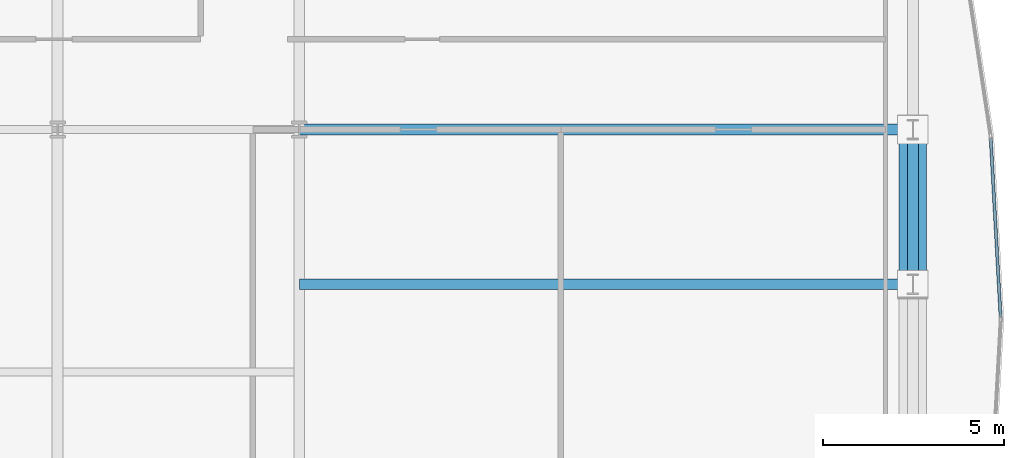
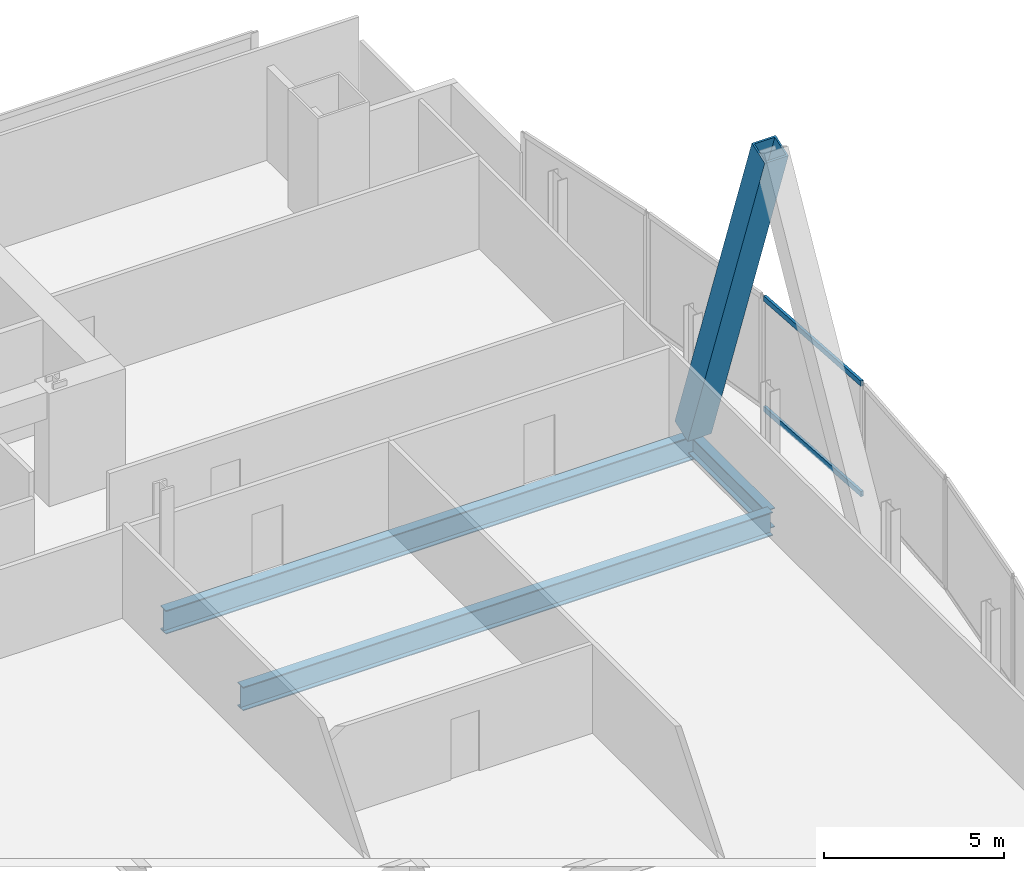
# One storey, part 24 of 36: 3 beams, 3 members, 1 element without a shape of its own.
"""IFC4 building model written with IfcOpenShell, lengths in metres."""

from ifc_helpers import new_model, si_unit, direction, frame, origin, origin_2d, place, context, subcontext, project, spatial, hollow_rectangle, i_section, extrude, material, material_profile, profile_set, type_object, element, aggregate, save


model = new_model("IFC4")

# Units and contexts
model_context = context("Model", 3, precision=1e-05, world=origin(), true_north=direction((0.0, 1.0)))
body_context = subcontext(model_context, "Body", "Model", "MODEL_VIEW")
ifc_project = project(units=[si_unit("LENGTHUNIT", "METRE"), si_unit("AREAUNIT", "SQUARE_METRE"), si_unit("VOLUMEUNIT", "CUBIC_METRE"), si_unit("PLANEANGLEUNIT", "RADIAN"), si_unit("MASSUNIT", "GRAM", prefix="KILO")], contexts=[model_context])

# Site, building, storey
site_placement = place(None, origin())
site = spatial("IfcSite", under=ifc_project, at=site_placement, CompositionType="ELEMENT")
building_placement = place(site_placement, origin())
building = spatial("IfcBuilding", under=site, at=building_placement, Name="Khoronbel Lancet Exchange", CompositionType="ELEMENT")
storey_placement = place(building_placement, frame((0.0, 0.0, 49.800048828125)))
storey = spatial("IfcBuildingStorey", under=building, at=storey_placement, Name="L11", CompositionType="ELEMENT", Elevation=49.800048828125)

# Beams
ifc_material_1 = material(Name="Steel S355", Category="steel")
ifc_material_profile_1 = material_profile(ifc_material_1, i_section(OverallWidth=0.300048828125, OverallDepth=0.800048828125, WebThickness=0.017578125, FlangeThickness=0.032958984375, at=origin_2d()), Name="HEB 800")
ifc_profile_set_1 = profile_set([ifc_material_profile_1], Name="Steel S355")
beam_type_1 = type_object("IfcBeamType", Name="BM-BG2", PredefinedType="BEAM", material=ifc_profile_set_1)
for number, where, z_axis, x_axis, name in (
    (1, (54.675048828125, 31.425048828125, -0.580078125), (1.0, 0.0, 0.0), (0.0, 1.0, 0.0), "Level L11 east lens tie girder LG2E"),
    (2, (54.675048828125, 35.699951171875, -0.580078125), (1.0, 0.0, 0.0), (0.0, 1.0, 0.0), "Level L11 east lens tie girder LG4E"),
):
    element("IfcBeam", number, at=place(storey_placement, frame(where, z_axis=z_axis, x_axis=x_axis)), inside=storey, type_object=beam_type_1, Name=name, PredefinedType="BEAM", context=body_context, shape_type="SweptSolid", body=[
        extrude(i_section(OverallWidth=0.300048828125, OverallDepth=0.800048828125, WebThickness=0.017578125, FlangeThickness=0.032958984375, at=origin_2d()), origin(), (0.0, 0.0, 1.0), 16.954833984375),
    ])
ifc_material_profile_2 = material_profile(ifc_material_1, i_section(OverallWidth=0.300048828125, OverallDepth=0.64990234375, WebThickness=0.01611328125, FlangeThickness=0.031005859375, at=origin_2d()), Name="HEB 650")
ifc_profile_set_2 = profile_set([ifc_material_profile_2], Name="Steel S355")
beam_type_2 = type_object("IfcBeamType", Name="BM-BSP1", PredefinedType="SPANDREL", material=ifc_profile_set_2)
beam_placement = place(storey_placement, frame((71.6298828125, 31.425048828125, -0.505126953125), z_axis=(0.0, 1.0, 0.0), x_axis=(-1.0, 0.0, 0.0)))
element("IfcBeam", 3, at=beam_placement, inside=storey, type_object=beam_type_2, Name="Level L11 perimeter spandrel beam SP13", PredefinedType="SPANDREL", context=body_context, shape_type="SweptSolid", body=[
    extrude(i_section(OverallWidth=0.300048828125, OverallDepth=0.64990234375, WebThickness=0.01611328125, FlangeThickness=0.031005859375, at=origin_2d()), origin(), (0.0, 0.0, 1.0), 4.27490234375),
])

# Curtain wall, members
ifc_material_2 = material(Name="Low-E Solar Control Insulating Glass", Category="glass")
curtain_wall_type = type_object("IfcCurtainWallType", Name="CW-4", PredefinedType="NOTDEFINED", material=ifc_material_2)
curtain_wall_placement = place(storey_placement, origin())
curtain_wall = element("IfcCurtainWall", 4, at=curtain_wall_placement, inside=storey, type_object=curtain_wall_type, Name="Unitised curtain wall CW-L11-E19", PredefinedType="NOTDEFINED")
ifc_material_3 = material(Name="Bronze-Anodised Aluminium 6063-T6", Category="aluminium")
ifc_material_profile_3 = material_profile(ifc_material_3, hollow_rectangle(XDim=0.0849609375, YDim=0.179931640625, WallThickness=0.0048828125, at=origin_2d()), Name="ALU TRANSOM 85x180")
ifc_profile_set_3 = profile_set([ifc_material_profile_3], Name="Bronze-Anodised Aluminium 6063-T6")
member_type_1 = type_object("IfcMemberType", Name="MEM-CWT1", PredefinedType="USERDEFINED", material=ifc_profile_set_3)
member_1_placement = place(storey_placement, frame((73.780029296875, 35.44921875, 0.04248046875), z_axis=(0.05514649467, -0.998478274238, 0.0), x_axis=(0.998478274238, 0.05514649467, 0.0)))
member_1 = element("IfcMember", 5, at=member_1_placement, type_object=member_type_1, Name="CW4 transom 1.1", ObjectType="TRANSOM", PredefinedType="USERDEFINED", context=body_context, shape_type="SweptSolid", body=[
    extrude(hollow_rectangle(XDim=0.0849609375, YDim=0.179931640625, WallThickness=0.0048828125, at=origin_2d()), origin(), (0.0, 0.0, 1.0), 4.931884765625),
])
member_2_placement = place(storey_placement, frame((73.780029296875, 35.44921875, 3.77734375), z_axis=(0.05514649467, -0.998478274238, 0.0), x_axis=(0.998478274238, 0.05514649467, 0.0)))
member_2 = element("IfcMember", 6, at=member_2_placement, type_object=member_type_1, Name="CW4 transom 1.2", ObjectType="TRANSOM", PredefinedType="USERDEFINED", context=body_context, shape_type="SweptSolid", body=[
    extrude(hollow_rectangle(XDim=0.0849609375, YDim=0.179931640625, WallThickness=0.0048828125, at=origin_2d()), origin(), (0.0, 0.0, 1.0), 4.931884765625),
])
aggregate(curtain_wall, [member_1, member_2])

# Member
ifc_material_4 = material(Name="Steel S460", Category="steel")
ifc_material_profile_4 = material_profile(ifc_material_4, hollow_rectangle(XDim=0.760009765625, YDim=0.760009765625, WallThickness=0.054931640625, at=origin_2d()), Name="BOX 760x760x55")
ifc_profile_set_4 = profile_set([ifc_material_profile_4], Name="Steel S460")
member_type_2 = type_object("IfcMemberType", Name="MEM-MB1", PredefinedType="BRACE", material=ifc_profile_set_4)
member_3_placement = place(storey_placement, frame((71.6298828125, 35.699951171875, 0.0), z_axis=(0.0, -0.335583554792, 0.94201044461), x_axis=(1.0, 0.0, 0.0)))
element("IfcMember", 7, at=member_3_placement, inside=storey, type_object=member_type_2, Name="Perimeter lancet brace tier 3 E-P-R", PredefinedType="BRACE", context=body_context, shape_type="SweptSolid", body=[
    extrude(hollow_rectangle(XDim=0.760009765625, YDim=0.760009765625, WallThickness=0.054931640625, at=origin_2d()), origin(), (0.0, 0.0, 1.0), 12.73876953125),
])

save(model, "model.ifc")
